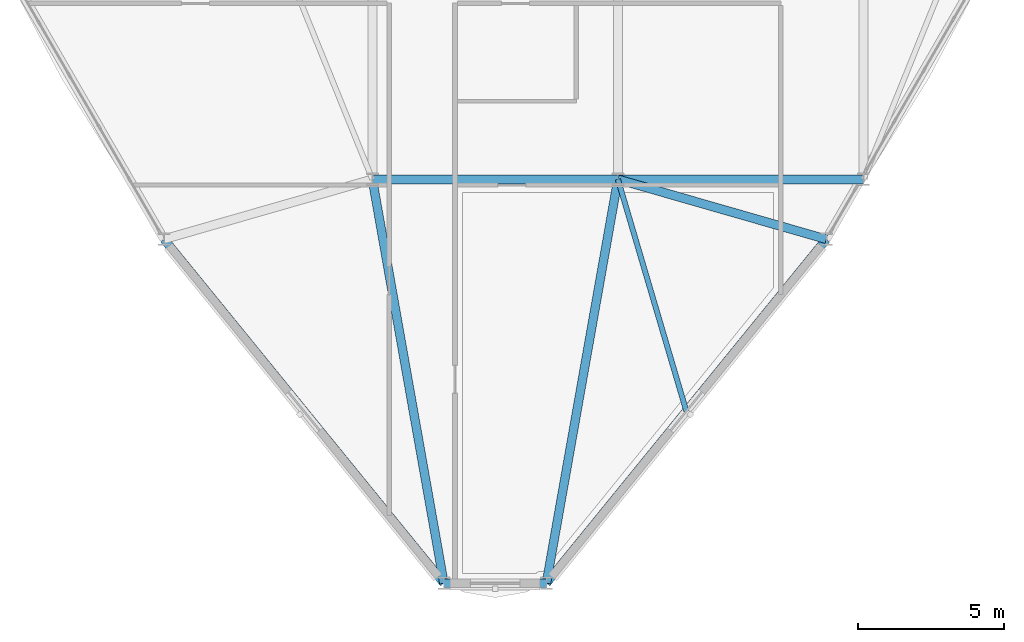
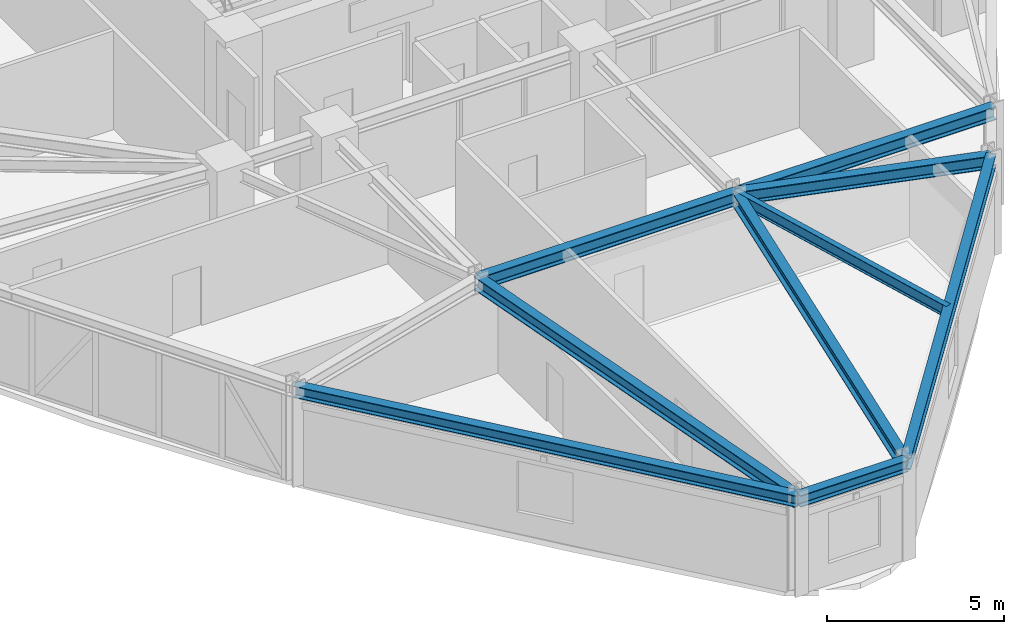
# One storey, part 3 of 15: 9 beams.
"""IFC4 building model written with IfcOpenShell, lengths in metres."""

from ifc_helpers import new_model, si_unit, derived_unit, direction, frame, origin, origin_2d, place, context, subcontext, project, spatial, i_section, extrude, source, transform, mapped, material, material_profile, profile_set, type_object, element, save


model = new_model("IFC4")

# Units and contexts
model_context = context("Model", 3, precision=1e-05, world=origin(), true_north=direction((0.0, 1.0)))
body_context = subcontext(model_context, "Body", "Model", "MODEL_VIEW")
ifc_project = project(units=[si_unit("LENGTHUNIT", "METRE"), si_unit("AREAUNIT", "SQUARE_METRE"), si_unit("VOLUMEUNIT", "CUBIC_METRE"), si_unit("PLANEANGLEUNIT", "RADIAN"), si_unit("MASSUNIT", "GRAM", prefix="KILO"), derived_unit("THERMALTRANSMITTANCEUNIT", [(si_unit("POWERUNIT", "WATT"), 1), (si_unit("LENGTHUNIT", "METRE"), -2), (si_unit("THERMODYNAMICTEMPERATUREUNIT", "KELVIN"), -1)])], contexts=[model_context])

# Site, building, storey
site_placement = place(None, origin())
site = spatial("IfcSite", under=ifc_project, at=site_placement, CompositionType="ELEMENT")
building_placement = place(site_placement, origin())
building = spatial("IfcBuilding", under=site, at=building_placement, Name="Korsvarv Bourse and Concert Hall", CompositionType="ELEMENT")
storey_placement = place(building_placement, frame((0.0, 0.0, 150.60009765625)))
storey = spatial("IfcBuildingStorey", under=building, at=storey_placement, Name="L38", CompositionType="ELEMENT", Elevation=150.60009765625)

# Beams
ifc_material = material(Name="Steel S355", Category="steel")
ifc_material_profile_1 = material_profile(ifc_material, i_section(OverallWidth=0.300048828125, OverallDepth=0.449951171875, WebThickness=0.013916015625, FlangeThickness=0.02587890625, FilletRadius=0.02099609375, at=origin_2d()), Name="HEB 450")
ifc_profile_set_1 = profile_set([ifc_material_profile_1], Name="Steel S355")
beam_type_1 = type_object("IfcBeamType", Name="BM-HEB450", PredefinedType="SPANDREL", material=ifc_profile_set_1)
shared_shape_1 = source(origin(), body_context, "Body", "SweptSolid", [
    extrude(i_section(OverallWidth=0.300048828125, OverallDepth=0.449951171875, WebThickness=0.013916015625, FlangeThickness=0.02587890625, FilletRadius=0.02099609375, at=origin_2d()), origin(), (0.0, 0.0, 1.0), 8.39990234375),
])
for number, where, z_axis, x_axis, name in (
    (1, (27.60009765625, 24.0, 3.1748046875), (1.0, 0.0, 0.0), (0.0, 1.0, 0.0), "L38 beam B-08"),
    (2, (36.0, 24.0, 3.1748046875), (1.0, 0.0, 0.0), (0.0, 1.0, 0.0), "L38 beam B-08"),
):
    element("IfcBeam", number, at=place(storey_placement, frame(where, z_axis=z_axis, x_axis=x_axis)), inside=storey, type_object=beam_type_1, Name=name, PredefinedType="SPANDREL", context=body_context, shape_type="MappedRepresentation", body=[
        mapped(shared_shape_1, transform((0.0, 0.0, 0.0), scale=1.0)),
    ])
ifc_material_profile_2 = material_profile(ifc_material, i_section(OverallWidth=0.300048828125, OverallDepth=0.39990234375, WebThickness=0.013427734375, FlangeThickness=0.02392578125, FilletRadius=0.02099609375, at=origin_2d()), Name="HEB 400")
ifc_profile_set_2 = profile_set([ifc_material_profile_2], Name="Steel S355")
beam_type_2 = type_object("IfcBeamType", Name="BM-HEB400", PredefinedType="SPANDREL", material=ifc_profile_set_2)
shared_shape_2 = source(origin(), body_context, "Body", "SweptSolid", [
    extrude(i_section(OverallWidth=0.300048828125, OverallDepth=0.39990234375, WebThickness=0.013427734375, FlangeThickness=0.02392578125, FilletRadius=0.02099609375, at=origin_2d()), origin(), (0.0, 0.0, 1.0), 3.505859375),
])
beam_1_placement = place(storey_placement, frame((30.047119140625, 10.183837890625, 3.199951171875), z_axis=(1.0, 0.0, 0.0), x_axis=(0.0, 1.0, 0.0)))
element("IfcBeam", 3, at=beam_1_placement, inside=storey, type_object=beam_type_2, Name="L38 beam B-09", PredefinedType="SPANDREL", context=body_context, shape_type="MappedRepresentation", body=[
    mapped(shared_shape_2, transform((0.0, 0.0, 0.0), scale=1.0)),
])
shared_shape_3 = source(origin(), body_context, "Body", "SweptSolid", [
    extrude(i_section(OverallWidth=0.300048828125, OverallDepth=0.39990234375, WebThickness=0.013427734375, FlangeThickness=0.02392578125, FilletRadius=0.02099609375, at=origin_2d()), origin(), (0.0, 0.0, 1.0), 15.1728515625),
])
for number, where, z_axis, x_axis, name in (
    (4, (20.469482421875, 21.951904296875, 3.199951171875), (0.631230883331, -0.775594979309, 0.0), (0.775594979309, 0.631230883331, 0.0), "L38 beam B-09"),
    (5, (33.552978515625, 10.183837890625, 3.199951171875), (0.631221203973, 0.775602856915, 0.0), (-0.775602856915, 0.631221203973, 0.0), "L38 beam B-09"),
):
    element("IfcBeam", number, at=place(storey_placement, frame(where, z_axis=z_axis, x_axis=x_axis)), inside=storey, type_object=beam_type_2, Name=name, PredefinedType="SPANDREL", context=body_context, shape_type="MappedRepresentation", body=[
        mapped(shared_shape_3, transform((0.0, 0.0, 0.0), scale=1.0)),
    ])
shared_shape_4 = source(origin(), body_context, "Body", "SweptSolid", [
    extrude(i_section(OverallWidth=0.300048828125, OverallDepth=0.449951171875, WebThickness=0.013916015625, FlangeThickness=0.02587890625, FilletRadius=0.02099609375, at=origin_2d()), origin(), (0.0, 0.0, 1.0), 14.03125),
])
for number, where, z_axis, x_axis, name in (
    (6, (30.047119140625, 10.183837890625, 3.1748046875), (-0.174398732616, 0.984675114981, 0.0), (-0.984675114981, -0.174398732616, 0.0), "L38 beam B-08"),
    (7, (33.552978515625, 10.183837890625, 3.1748046875), (0.174398732616, 0.984675114981, 0.0), (-0.984675114981, 0.174398732616, 0.0), "L38 beam B-08"),
):
    element("IfcBeam", number, at=place(storey_placement, frame(where, z_axis=z_axis, x_axis=x_axis)), inside=storey, type_object=beam_type_1, Name=name, PredefinedType="SPANDREL", context=body_context, shape_type="MappedRepresentation", body=[
        mapped(shared_shape_4, transform((0.0, 0.0, 0.0), scale=1.0)),
    ])
shared_shape_5 = source(origin(), body_context, "Body", "SweptSolid", [
    extrude(i_section(OverallWidth=0.300048828125, OverallDepth=0.449951171875, WebThickness=0.013916015625, FlangeThickness=0.02587890625, FilletRadius=0.02099609375, at=origin_2d()), origin(), (0.0, 0.0, 1.0), 7.418701171875),
])
beam_2_placement = place(storey_placement, frame((43.13037109375, 21.951904296875, 3.1748046875), z_axis=(-0.961136783808, 0.276072604238, 0.0), x_axis=(-0.276072604238, -0.961136783808, 0.0)))
element("IfcBeam", 8, at=beam_2_placement, inside=storey, type_object=beam_type_1, Name="L38 beam B-08", PredefinedType="SPANDREL", context=body_context, shape_type="MappedRepresentation", body=[
    mapped(shared_shape_5, transform((0.0, 0.0, 0.0), scale=1.0)),
])
ifc_material_profile_3 = material_profile(ifc_material, i_section(OverallWidth=0.179931640625, OverallDepth=0.39990234375, WebThickness=0.008544921875, FlangeThickness=0.013427734375, FilletRadius=0.02099609375, at=origin_2d()), Name="IPE 400")
ifc_profile_set_3 = profile_set([ifc_material_profile_3], Name="Steel S355")
beam_type_3 = type_object("IfcBeamType", Name="BM-IPE400", PredefinedType="JOIST", material=ifc_profile_set_3)
shared_shape_6 = source(origin(), body_context, "Body", "SweptSolid", [
    extrude(i_section(OverallWidth=0.179931640625, OverallDepth=0.39990234375, WebThickness=0.008544921875, FlangeThickness=0.013427734375, FilletRadius=0.02099609375, at=origin_2d()), origin(), (0.0, 0.0, 1.0), 8.2705078125),
])
beam_3_placement = place(storey_placement, frame((38.341796875, 16.06787109375, 3.199951171875), z_axis=(-0.28314745229, 0.959076389169, 0.0), x_axis=(-0.959076389169, -0.28314745229, 0.0)))
element("IfcBeam", 9, at=beam_3_placement, inside=storey, type_object=beam_type_3, Name="L38 beam J-05", PredefinedType="JOIST", context=body_context, shape_type="MappedRepresentation", body=[
    mapped(shared_shape_6, transform((0.0, 0.0, 0.0), scale=1.0)),
])

save(model, "model.ifc")
